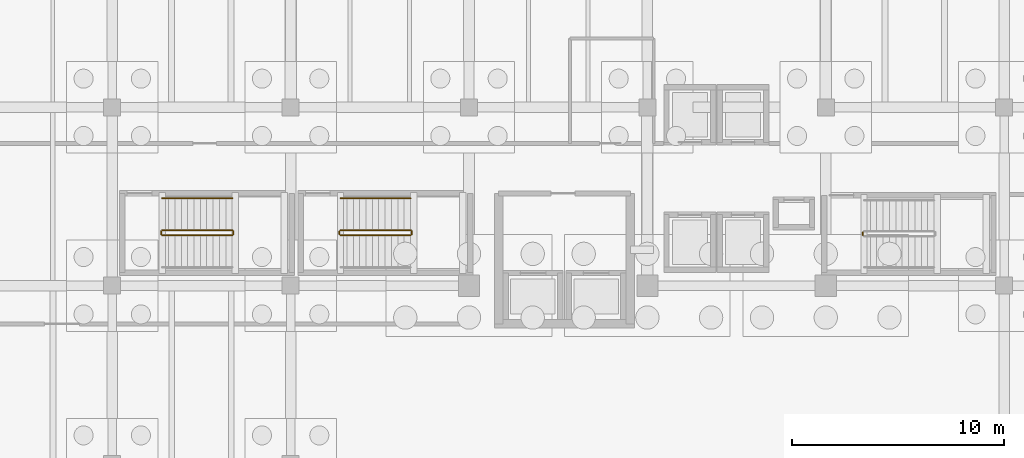
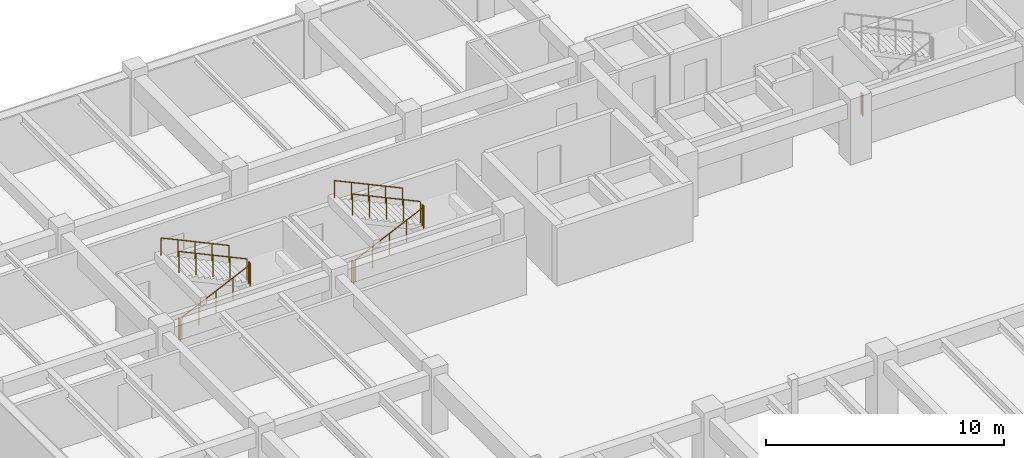
# One storey, part 63 of 70: 11 railings.
"""IFC4 building model written with IfcOpenShell, lengths in metres."""

from ifc_helpers import new_model, si_unit, direction, frame, origin, origin_2d, place, context, subcontext, project, spatial, circle, extrude, material, type_object, element, save


model = new_model("IFC4")

# Units and contexts
model_context = context("Model", 3, precision=1e-05, world=origin(), true_north=direction((0.0, 1.0)))
body_context = subcontext(model_context, "Body", "Model", "MODEL_VIEW")
ifc_project = project(units=[si_unit("LENGTHUNIT", "METRE"), si_unit("AREAUNIT", "SQUARE_METRE"), si_unit("VOLUMEUNIT", "CUBIC_METRE"), si_unit("PLANEANGLEUNIT", "RADIAN"), si_unit("MASSUNIT", "GRAM", prefix="KILO")], contexts=[model_context])

# Site, building, storey
site_placement = place(None, origin())
site = spatial("IfcSite", under=ifc_project, at=site_placement, CompositionType="ELEMENT")
building_placement = place(site_placement, origin())
building = spatial("IfcBuilding", under=site, at=building_placement, Name="Cumbredor Promenade Congress Hotel", CompositionType="ELEMENT")
storey_placement = place(building_placement, frame((0.0, 0.0, -7.56005859375)))
storey = spatial("IfcBuildingStorey", under=building, at=storey_placement, Name="B02", CompositionType="ELEMENT", Elevation=-7.56005859375)

# Railings
ifc_material = material(Name="Brushed stainless steel", Category="steel")
railing_type_1 = type_object("IfcRailingType", Name="Interior Void & Stair Guardrail GR-1100", PredefinedType="GUARDRAIL", material=ifc_material)
railing_1_placement = place(storey_placement, frame((10.75, 103.169921875, 0.14013671875)))
element("IfcRailing", 1, at=railing_1_placement, inside=storey, type_object=railing_type_1, Name="B02 ST-01 stair guard 1", PredefinedType="GUARDRAIL", context=body_context, shape_type="SweptSolid", body=[
    extrude(circle(Radius=0.02392578125, at=origin_2d()), frame((0.0, 0.0, 1.09619140625), z_axis=(0.906181427284, 0.0, 0.422889135408), x_axis=(0.0, 1.0, 0.0)), (0.0, 0.0, 1.0), 3.6416015625),
    extrude(circle(Radius=0.02099609375, at=origin_2d()), origin(), (0.0, 0.0, 1.0), 1.072021484375),
    extrude(circle(Radius=0.02099609375, at=origin_2d()), frame((0.824951171875, 0.0, 0.385009765625)), (0.0, 0.0, 1.0), 1.072021484375),
    extrude(circle(Radius=0.02099609375, at=origin_2d()), frame((1.64990234375, 0.0, 0.77001953125)), (0.0, 0.0, 1.0), 1.072021484375),
    extrude(circle(Radius=0.02099609375, at=origin_2d()), frame((2.47509765625, 0.0, 1.155029296875)), (0.0, 0.0, 1.0), 1.072021484375),
    extrude(circle(Radius=0.02099609375, at=origin_2d()), frame((3.300048828125, 0.0, 1.5400390625)), (0.0, 0.0, 1.0), 1.072021484375),
])
railing_2_placement = place(storey_placement, frame((14.10009765625, 103.219970703125, 1.68017578125)))
element("IfcRailing", 2, at=railing_2_placement, inside=storey, type_object=railing_type_1, Name="B02 ST-01 stair guard 2", PredefinedType="GUARDRAIL", context=body_context, shape_type="SweptSolid", body=[
    extrude(circle(Radius=0.02392578125, at=origin_2d()), frame((0.0, 0.0, 1.09619140625), z_axis=(0.0, 1.0, 0.0), x_axis=(-1.0, 0.0, 0.0)), (0.0, 0.0, 1.0), 0.150146484375),
    extrude(circle(Radius=0.02099609375, at=origin_2d()), origin(), (0.0, 0.0, 1.0), 1.072021484375),
    extrude(circle(Radius=0.02099609375, at=origin_2d()), frame((0.0, 0.150146484375, 0.0)), (0.0, 0.0, 1.0), 1.072021484375),
])
railing_3_placement = place(storey_placement, frame((14.050048828125, 103.419921875, 1.820068359375)))
element("IfcRailing", 3, at=railing_3_placement, inside=storey, type_object=railing_type_1, Name="B02 ST-01 stair guard 3", PredefinedType="GUARDRAIL", context=body_context, shape_type="SweptSolid", body=[
    extrude(circle(Radius=0.02392578125, at=origin_2d()), frame((0.0, 0.0, 1.09619140625), z_axis=(-0.906181427284, 0.0, 0.422889135408), x_axis=(0.0, -1.0, 0.0)), (0.0, 0.0, 1.0), 3.6416015625),
    extrude(circle(Radius=0.02099609375, at=origin_2d()), origin(), (0.0, 0.0, 1.0), 1.072021484375),
    extrude(circle(Radius=0.02099609375, at=origin_2d()), frame((-0.824951171875, 0.0, 0.385009765625)), (0.0, 0.0, 1.0), 1.072021484375),
    extrude(circle(Radius=0.02099609375, at=origin_2d()), frame((-1.64990234375, 0.0, 0.77001953125)), (0.0, 0.0, 1.0), 1.072021484375),
    extrude(circle(Radius=0.02099609375, at=origin_2d()), frame((-2.47509765625, 0.0, 1.155029296875)), (0.0, 0.0, 1.0), 1.072021484375),
    extrude(circle(Radius=0.02099609375, at=origin_2d()), frame((-3.300048828125, 0.0, 1.5400390625)), (0.0, 0.0, 1.0), 1.072021484375),
])
railing_4_placement = place(storey_placement, frame((10.699951171875, 103.219970703125, 0.0)))
element("IfcRailing", 4, at=railing_4_placement, inside=storey, type_object=railing_type_1, Name="B02 ST-01 stair guard 4", PredefinedType="GUARDRAIL", context=body_context, shape_type="SweptSolid", body=[
    extrude(circle(Radius=0.02392578125, at=origin_2d()), frame((0.0, 0.0, 1.09619140625), z_axis=(0.0, 1.0, 0.0), x_axis=(-1.0, 0.0, 0.0)), (0.0, 0.0, 1.0), 0.150146484375),
    extrude(circle(Radius=0.02099609375, at=origin_2d()), origin(), (0.0, 0.0, 1.0), 1.072021484375),
    extrude(circle(Radius=0.02099609375, at=origin_2d()), frame((0.0, 0.150146484375, 0.0)), (0.0, 0.0, 1.0), 1.072021484375),
])
railing_5_placement = place(storey_placement, frame((19.14990234375, 103.169921875, 0.14013671875)))
element("IfcRailing", 5, at=railing_5_placement, inside=storey, type_object=railing_type_1, Name="B02 ST-02 stair guard 1", PredefinedType="GUARDRAIL", context=body_context, shape_type="SweptSolid", body=[
    extrude(circle(Radius=0.02392578125, at=origin_2d()), frame((0.0, 0.0, 1.09619140625), z_axis=(0.906181427284, 0.0, 0.422889135408), x_axis=(0.0, 1.0, 0.0)), (0.0, 0.0, 1.0), 3.6416015625),
    extrude(circle(Radius=0.02099609375, at=origin_2d()), origin(), (0.0, 0.0, 1.0), 1.072021484375),
    extrude(circle(Radius=0.02099609375, at=origin_2d()), frame((0.824951171875, 0.0, 0.385009765625)), (0.0, 0.0, 1.0), 1.072021484375),
    extrude(circle(Radius=0.02099609375, at=origin_2d()), frame((1.64990234375, 0.0, 0.77001953125)), (0.0, 0.0, 1.0), 1.072021484375),
    extrude(circle(Radius=0.02099609375, at=origin_2d()), frame((2.47509765625, 0.0, 1.155029296875)), (0.0, 0.0, 1.0), 1.072021484375),
    extrude(circle(Radius=0.02099609375, at=origin_2d()), frame((3.300048828125, 0.0, 1.5400390625)), (0.0, 0.0, 1.0), 1.072021484375),
])
railing_6_placement = place(storey_placement, frame((22.5, 103.219970703125, 1.68017578125)))
element("IfcRailing", 6, at=railing_6_placement, inside=storey, type_object=railing_type_1, Name="B02 ST-02 stair guard 2", PredefinedType="GUARDRAIL", context=body_context, shape_type="SweptSolid", body=[
    extrude(circle(Radius=0.02392578125, at=origin_2d()), frame((0.0, 0.0, 1.09619140625), z_axis=(0.0, 1.0, 0.0), x_axis=(-1.0, 0.0, 0.0)), (0.0, 0.0, 1.0), 0.150146484375),
    extrude(circle(Radius=0.02099609375, at=origin_2d()), origin(), (0.0, 0.0, 1.0), 1.072021484375),
    extrude(circle(Radius=0.02099609375, at=origin_2d()), frame((0.0, 0.150146484375, 0.0)), (0.0, 0.0, 1.0), 1.072021484375),
])
railing_7_placement = place(storey_placement, frame((22.449951171875, 103.419921875, 1.820068359375)))
element("IfcRailing", 7, at=railing_7_placement, inside=storey, type_object=railing_type_1, Name="B02 ST-02 stair guard 3", PredefinedType="GUARDRAIL", context=body_context, shape_type="SweptSolid", body=[
    extrude(circle(Radius=0.02392578125, at=origin_2d()), frame((0.0, 0.0, 1.09619140625), z_axis=(-0.906181427284, 0.0, 0.422889135408), x_axis=(0.0, -1.0, 0.0)), (0.0, 0.0, 1.0), 3.6416015625),
    extrude(circle(Radius=0.02099609375, at=origin_2d()), origin(), (0.0, 0.0, 1.0), 1.072021484375),
    extrude(circle(Radius=0.02099609375, at=origin_2d()), frame((-0.824951171875, 0.0, 0.385009765625)), (0.0, 0.0, 1.0), 1.072021484375),
    extrude(circle(Radius=0.02099609375, at=origin_2d()), frame((-1.64990234375, 0.0, 0.77001953125)), (0.0, 0.0, 1.0), 1.072021484375),
    extrude(circle(Radius=0.02099609375, at=origin_2d()), frame((-2.47509765625, 0.0, 1.155029296875)), (0.0, 0.0, 1.0), 1.072021484375),
    extrude(circle(Radius=0.02099609375, at=origin_2d()), frame((-3.300048828125, 0.0, 1.5400390625)), (0.0, 0.0, 1.0), 1.072021484375),
])
for number, where, name in (
    (8, (19.10009765625, 103.219970703125, 0.0), "B02 ST-02 stair guard 4"),
    (9, (43.75, 103.169921875, 0.0), "B02 ST-03 stair guard 4"),
):
    element("IfcRailing", number, at=place(storey_placement, frame(where)), inside=storey, type_object=railing_type_1, Name=name, PredefinedType="GUARDRAIL", context=body_context, shape_type="SweptSolid", body=[
        extrude(circle(Radius=0.02392578125, at=origin_2d()), frame((0.0, 0.0, 1.09619140625), z_axis=(0.0, 1.0, 0.0), x_axis=(-1.0, 0.0, 0.0)), (0.0, 0.0, 1.0), 0.150146484375),
        extrude(circle(Radius=0.02099609375, at=origin_2d()), origin(), (0.0, 0.0, 1.0), 1.072021484375),
        extrude(circle(Radius=0.02099609375, at=origin_2d()), frame((0.0, 0.150146484375, 0.0)), (0.0, 0.0, 1.0), 1.072021484375),
    ])
railing_type_2 = type_object("IfcRailingType", Name="Stair Pitch Handrail HR-900", PredefinedType="HANDRAIL", material=ifc_material)
for number, where, name in (
    (10, (14.050048828125, 104.919921875, 1.820068359375), "B02 ST-01 stair handrail 2"),
    (11, (22.449951171875, 104.919921875, 1.820068359375), "B02 ST-02 stair handrail 2"),
):
    element("IfcRailing", number, at=place(storey_placement, frame(where)), inside=storey, type_object=railing_type_2, Name=name, PredefinedType="HANDRAIL", context=body_context, shape_type="SweptSolid", body=[
        extrude(circle(Radius=0.02392578125, at=origin_2d()), frame((0.0, 0.0, 0.8759765625), z_axis=(-0.906181427284, 0.0, 0.422889135408), x_axis=(0.0, -1.0, 0.0)), (0.0, 0.0, 1.0), 3.6416015625),
        extrude(circle(Radius=0.02099609375, at=origin_2d()), origin(), (0.0, 0.0, 1.0), 0.851806640625),
        extrude(circle(Radius=0.02099609375, at=origin_2d()), frame((-0.824951171875, 0.0, 0.385009765625)), (0.0, 0.0, 1.0), 0.851806640625),
        extrude(circle(Radius=0.02099609375, at=origin_2d()), frame((-1.64990234375, 0.0, 0.77001953125)), (0.0, 0.0, 1.0), 0.851806640625),
        extrude(circle(Radius=0.02099609375, at=origin_2d()), frame((-2.47509765625, 0.0, 1.155029296875)), (0.0, 0.0, 1.0), 0.851806640625),
        extrude(circle(Radius=0.02099609375, at=origin_2d()), frame((-3.300048828125, 0.0, 1.5400390625)), (0.0, 0.0, 1.0), 0.851806640625),
    ])

save(model, "model.ifc")
